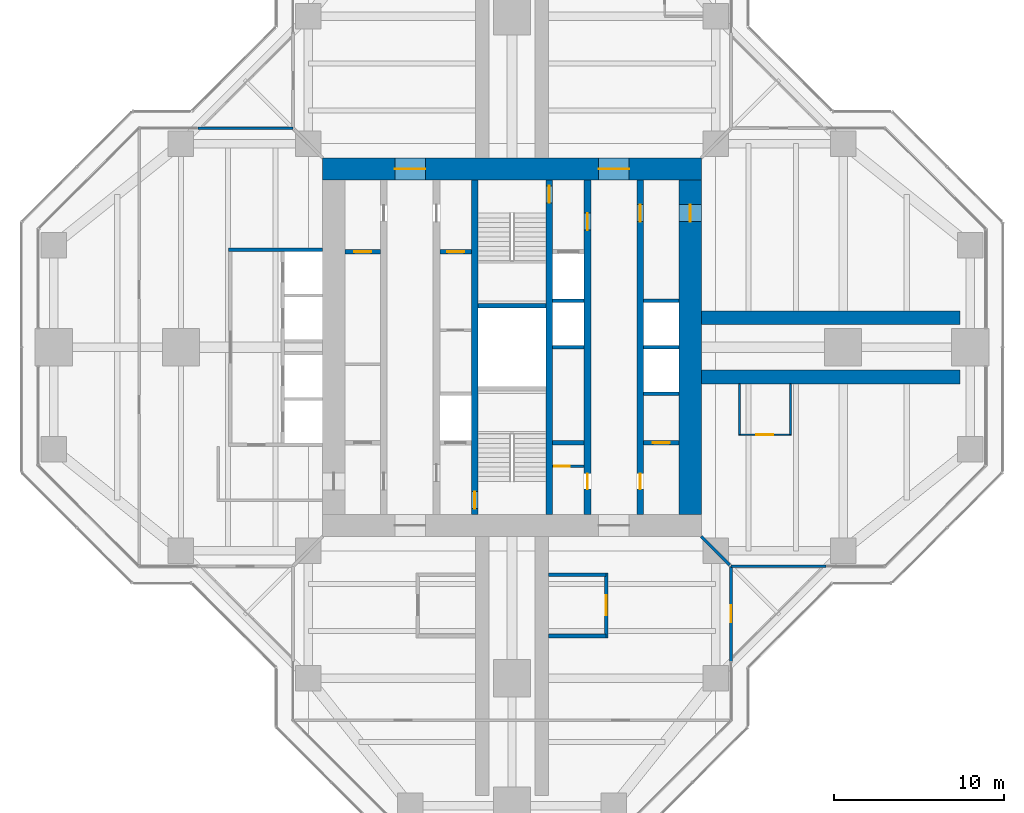
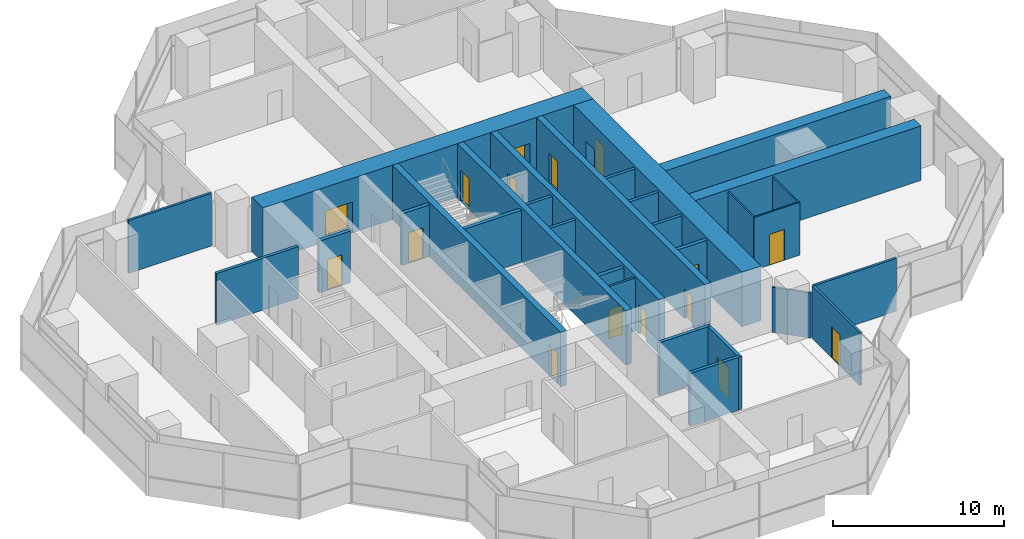
# One storey, part 14 of 17: 30 walls, 16 doors, 16 openings.
"""IFC4 building model written with IfcOpenShell, lengths in metres."""

from ifc_helpers import new_model, si_unit, direction, frame, frame_2d, origin, place, context, subcontext, project, spatial, rectangle, extrude, material, layer, layer_set, type_object, element, fill, save


model = new_model("IFC4")

# Units and contexts
model_context = context("Model", 3, precision=1e-05, world=origin(), true_north=direction((0.0, 1.0)))
body_context = subcontext(model_context, "Body", "Model", "MODEL_VIEW")
ifc_project = project(units=[si_unit("LENGTHUNIT", "METRE"), si_unit("AREAUNIT", "SQUARE_METRE"), si_unit("VOLUMEUNIT", "CUBIC_METRE"), si_unit("PLANEANGLEUNIT", "RADIAN"), si_unit("MASSUNIT", "GRAM", prefix="KILO")], contexts=[model_context])

# Site, building, storey
site_placement = place(None, origin())
site = spatial("IfcSite", under=ifc_project, at=site_placement, CompositionType="ELEMENT")
building_placement = place(site_placement, origin())
building = spatial("IfcBuilding", under=site, at=building_placement, Name="Mizan Broadcast Tower", CompositionType="ELEMENT")
storey_placement = place(building_placement, frame((0.0, 0.0, 220.5)))
storey = spatial("IfcBuildingStorey", under=building, at=storey_placement, Name="L51", CompositionType="ELEMENT", Elevation=220.5)

# Wall, openings, doors
ifc_material_1 = material(Name="Concrete C70/85", Category="concrete")
ifc_layer_1 = layer(ifc_material_1, 0.39990234375)
ifc_layer_set_1 = layer_set([ifc_layer_1], Name="Concrete C70/85")
wall_type_1 = type_object("IfcWallType", Name="CORE INTERNAL WALL 400", PredefinedType="SHEAR", material=ifc_layer_set_1)
wall_1_placement = place(storey_placement, frame((7.550048828125, 9.85009765625, 0.0), z_axis=(0.0, 0.0, 1.0), x_axis=(0.0, -1.0, 0.0)))
wall_1 = element("IfcWall", 1, at=wall_1_placement, inside=storey, type_object=wall_type_1, Name="Core wall CORE/XW1E", PredefinedType="SHEAR", context=body_context, shape_type="SweptSolid", body=[
    extrude(rectangle(XDim=19.7001953125, YDim=0.39990234375, at=frame_2d((9.85009765625, 0.0))), origin(), (0.0, 0.0, 1.0), 3.89990234375),
])
opening_1_placement = place(wall_1_placement, frame((1.449951171875, 0.0, 0.0)))
opening_1 = element("IfcOpeningElement", 2, at=opening_1_placement, cuts=wall_1, Name="Opening D10F", PredefinedType="OPENING", context=body_context, shape_type="SweptSolid", body=[
    extrude(rectangle(XDim=1.0, YDim=2.199951171875, at=frame_2d((0.5, 1.10009765625))), frame((0.0, 0.2099609375, 0.0), z_axis=(0.0, -1.0, 0.0), x_axis=(1.0, 0.0, 0.0)), (0.0, 0.0, 1.0), 0.419921875),
])
opening_2_placement = place(wall_1_placement, frame((17.300048828125, 0.0, 0.0)))
opening_2 = element("IfcOpeningElement", 3, at=opening_2_placement, cuts=wall_1, Name="Opening D09", PredefinedType="OPENING", context=body_context, shape_type="SweptSolid", body=[
    extrude(rectangle(XDim=0.89990234375, YDim=2.10009765625, at=frame_2d((0.449951171875, 1.050048828125))), frame((0.0, 0.2099609375, 0.0), z_axis=(0.0, -1.0, 0.0), x_axis=(1.0, 0.0, 0.0)), (0.0, 0.0, 1.0), 0.419921875),
])
ifc_material_2 = material(Name="Steel door leaf in steel frame", Category="steel")
door_type_1 = type_object("IfcDoorType", Name="FIRE DOOR 1000 FD90", OperationType="SINGLE_SWING_LEFT", PredefinedType="DOOR", material=ifc_material_2)
door_1_placement = place(opening_1_placement, origin())
door_1 = element("IfcDoor", 4, at=door_1_placement, inside=storey, type_object=door_type_1, Name="East core passage door", OperationType="SINGLE_SWING_LEFT", OverallHeight=2.199951171875, OverallWidth=1.0, PredefinedType="DOOR", context=body_context, shape_type="SweptSolid", body=[
    extrude(rectangle(XDim=1.0, YDim=2.199951171875, at=frame_2d((0.5, 1.10009765625))), frame((0.0, 0.02490234375, 0.0), z_axis=(0.0, -1.0, 0.0), x_axis=(1.0, 0.0, 0.0)), (0.0, 0.0, 1.0), 0.050048828125),
])
fill(opening_1, door_1)
ifc_material_3 = material(Name="Timber door leaf in aluminium frame", Category="wood")
door_type_2 = type_object("IfcDoorType", Name="TOILET DOOR 900", OperationType="SINGLE_SWING_LEFT", PredefinedType="DOOR", material=ifc_material_3)
door_2_placement = place(opening_2_placement, origin())
door_2 = element("IfcDoor", 5, at=door_2_placement, inside=storey, type_object=door_type_2, Name="Female WC door", OperationType="SINGLE_SWING_RIGHT", OverallHeight=2.10009765625, OverallWidth=0.89990234375, PredefinedType="DOOR", context=body_context, shape_type="SweptSolid", body=[
    extrude(rectangle(XDim=0.89990234375, YDim=2.10009765625, at=frame_2d((0.449951171875, 1.050048828125))), frame((0.0, 0.02490234375, 0.0), z_axis=(0.0, -1.0, 0.0), x_axis=(1.0, 0.0, 0.0)), (0.0, 0.0, 1.0), 0.050048828125),
])
fill(opening_2, door_2)

wall_2_placement = place(storey_placement, frame((4.449951171875, 9.85009765625, 0.0), z_axis=(0.0, 0.0, 1.0), x_axis=(0.0, -1.0, 0.0)))
wall_2 = element("IfcWall", 6, at=wall_2_placement, inside=storey, type_object=wall_type_1, Name="Core wall CORE/XWHE", PredefinedType="SHEAR", context=body_context, shape_type="SweptSolid", body=[
    extrude(rectangle(XDim=19.7001953125, YDim=0.39990234375, at=frame_2d((9.85009765625, 0.0))), origin(), (0.0, 0.0, 1.0), 3.89990234375),
])
opening_3_placement = place(wall_2_placement, frame((1.949951171875, 0.0, 0.0)))
opening_3 = element("IfcOpeningElement", 7, at=opening_3_placement, cuts=wall_2, Name="Opening D10F", PredefinedType="OPENING", context=body_context, shape_type="SweptSolid", body=[
    extrude(rectangle(XDim=1.0, YDim=2.199951171875, at=frame_2d((0.5, 1.10009765625))), frame((0.0, 0.2099609375, 0.0), z_axis=(0.0, -1.0, 0.0), x_axis=(1.0, 0.0, 0.0)), (0.0, 0.0, 1.0), 0.419921875),
])
opening_4_placement = place(wall_2_placement, frame((17.300048828125, 0.0, 0.0)))
opening_4 = element("IfcOpeningElement", 8, at=opening_4_placement, cuts=wall_2, Name="Opening D09", PredefinedType="OPENING", context=body_context, shape_type="SweptSolid", body=[
    extrude(rectangle(XDim=0.89990234375, YDim=2.10009765625, at=frame_2d((0.449951171875, 1.050048828125))), frame((0.0, 0.2099609375, 0.0), z_axis=(0.0, -1.0, 0.0), x_axis=(1.0, 0.0, 0.0)), (0.0, 0.0, 1.0), 0.419921875),
])
door_3_placement = place(opening_3_placement, origin())
door_3 = element("IfcDoor", 9, at=door_3_placement, inside=storey, type_object=door_type_1, Name="Firefighting lobby B door", OperationType="SINGLE_SWING_LEFT", OverallHeight=2.199951171875, OverallWidth=1.0, PredefinedType="DOOR", context=body_context, shape_type="SweptSolid", body=[
    extrude(rectangle(XDim=1.0, YDim=2.199951171875, at=frame_2d((0.5, 1.10009765625))), frame((0.0, 0.02490234375, 0.0), z_axis=(0.0, -1.0, 0.0), x_axis=(1.0, 0.0, 0.0)), (0.0, 0.0, 1.0), 0.050048828125),
])
fill(opening_3, door_3)
door_4_placement = place(opening_4_placement, origin())
door_4 = element("IfcDoor", 10, at=door_4_placement, inside=storey, type_object=door_type_2, Name="Cleaner's store door", OperationType="SINGLE_SWING_RIGHT", OverallHeight=2.10009765625, OverallWidth=0.89990234375, PredefinedType="DOOR", context=body_context, shape_type="SweptSolid", body=[
    extrude(rectangle(XDim=0.89990234375, YDim=2.10009765625, at=frame_2d((0.449951171875, 1.050048828125))), frame((0.0, 0.02490234375, 0.0), z_axis=(0.0, -1.0, 0.0), x_axis=(1.0, 0.0, 0.0)), (0.0, 0.0, 1.0), 0.050048828125),
])
fill(opening_4, door_4)

# Wall, opening, door
wall_3_placement = place(storey_placement, frame((-2.199951171875, -9.85009765625, 0.0), z_axis=(0.0, 0.0, 1.0), x_axis=(0.0, 1.0, 0.0)))
wall_3 = element("IfcWall", 11, at=wall_3_placement, inside=storey, type_object=wall_type_1, Name="Core wall CORE/XW2", PredefinedType="SHEAR", context=body_context, shape_type="SweptSolid", body=[
    extrude(rectangle(XDim=19.7001953125, YDim=0.39990234375, at=frame_2d((9.85009765625, 0.0))), origin(), (0.0, 0.0, 1.0), 3.89990234375),
])
opening_5_placement = place(wall_3_placement, frame((0.35009765625, 0.0, 0.0)))
opening_5 = element("IfcOpeningElement", 12, at=opening_5_placement, cuts=wall_3, Name="Opening D10S", PredefinedType="OPENING", context=body_context, shape_type="SweptSolid", body=[
    extrude(rectangle(XDim=1.0, YDim=2.199951171875, at=frame_2d((0.5, 1.10009765625))), frame((0.0, 0.2099609375, 0.0), z_axis=(0.0, -1.0, 0.0), x_axis=(1.0, 0.0, 0.0)), (0.0, 0.0, 1.0), 0.419921875),
])
ifc_material_4 = material(Name="Steel door leaf in steel frame", Category="steel")
door_type_3 = type_object("IfcDoorType", Name="STAIR DOOR 1000 FD90S", OperationType="SINGLE_SWING_RIGHT", PredefinedType="DOOR", material=ifc_material_4)
door_5_placement = place(opening_5_placement, origin())
door_5 = element("IfcDoor", 13, at=door_5_placement, inside=storey, type_object=door_type_3, Name="Stair A door", OperationType="SINGLE_SWING_RIGHT", OverallHeight=2.199951171875, OverallWidth=1.0, PredefinedType="DOOR", context=body_context, shape_type="SweptSolid", body=[
    extrude(rectangle(XDim=1.0, YDim=2.199951171875, at=frame_2d((0.5, 1.10009765625))), frame((0.0, 0.02490234375, 0.0), z_axis=(0.0, -1.0, 0.0), x_axis=(1.0, 0.0, 0.0)), (0.0, 0.0, 1.0), 0.050048828125),
])
fill(opening_5, door_5)

wall_4_placement = place(storey_placement, frame((2.199951171875, 9.85009765625, 0.0), z_axis=(0.0, 0.0, 1.0), x_axis=(0.0, -1.0, 0.0)))
wall_4 = element("IfcWall", 14, at=wall_4_placement, inside=storey, type_object=wall_type_1, Name="Core wall CORE/XW2E", PredefinedType="SHEAR", context=body_context, shape_type="SweptSolid", body=[
    extrude(rectangle(XDim=19.7001953125, YDim=0.39990234375, at=frame_2d((9.85009765625, 0.0))), origin(), (0.0, 0.0, 1.0), 3.89990234375),
])
opening_6_placement = place(wall_4_placement, frame((0.35009765625, 0.0, 0.0)))
opening_6 = element("IfcOpeningElement", 15, at=opening_6_placement, cuts=wall_4, Name="Opening D10S", PredefinedType="OPENING", context=body_context, shape_type="SweptSolid", body=[
    extrude(rectangle(XDim=1.0, YDim=2.199951171875, at=frame_2d((0.5, 1.10009765625))), frame((0.0, 0.2099609375, 0.0), z_axis=(0.0, -1.0, 0.0), x_axis=(1.0, 0.0, 0.0)), (0.0, 0.0, 1.0), 0.419921875),
])
door_6_placement = place(opening_6_placement, origin())
door_6 = element("IfcDoor", 16, at=door_6_placement, inside=storey, type_object=door_type_3, Name="Stair B door", OperationType="SINGLE_SWING_RIGHT", OverallHeight=2.199951171875, OverallWidth=1.0, PredefinedType="DOOR", context=body_context, shape_type="SweptSolid", body=[
    extrude(rectangle(XDim=1.0, YDim=2.199951171875, at=frame_2d((0.5, 1.10009765625))), frame((0.0, 0.02490234375, 0.0), z_axis=(0.0, -1.0, 0.0), x_axis=(1.0, 0.0, 0.0)), (0.0, 0.0, 1.0), 0.050048828125),
])
fill(opening_6, door_6)

ifc_material_5 = material(Name="Concrete blockwork", Category="masonry")
ifc_layer_2 = layer(ifc_material_5, 0.14990234375)
ifc_layer_set_2 = layer_set([ifc_layer_2], Name="Concrete blockwork")
wall_type_2 = type_object("IfcWallType", Name="CORE PARTITION 150", PredefinedType="SOLIDWALL", material=ifc_layer_set_2)
wall_5_placement = place(storey_placement, frame((2.39990234375, -7.0, 0.0), z_axis=(0.0, 0.0, 1.0), x_axis=(1.0, 0.0, 0.0)))
wall_5 = element("IfcWall", 17, at=wall_5_placement, inside=storey, type_object=wall_type_2, Name="Core partition CORE/XPC", PredefinedType="SOLIDWALL", context=body_context, shape_type="SweptSolid", body=[
    extrude(rectangle(XDim=1.85009765625, YDim=0.14990234375, at=frame_2d((0.925048828125, 0.0))), origin(), (0.0, 0.0, 1.0), 3.77001953125),
])
opening_7_placement = place(wall_5_placement, frame((0.10009765625, 0.0, 0.0)))
opening_7 = element("IfcOpeningElement", 18, at=opening_7_placement, cuts=wall_5, Name="Opening D09F", PredefinedType="OPENING", context=body_context, shape_type="SweptSolid", body=[
    extrude(rectangle(XDim=0.89990234375, YDim=2.10009765625, at=frame_2d((0.449951171875, 1.050048828125))), frame((0.0, 0.0849609375, 0.0), z_axis=(0.0, -1.0, 0.0), x_axis=(1.0, 0.0, 0.0)), (0.0, 0.0, 1.0), 0.169921875),
])
ifc_material_6 = material(Name="Steel door leaf in steel frame", Category="steel")
door_type_4 = type_object("IfcDoorType", Name="CORE ROOM DOOR 900 FD90", OperationType="SINGLE_SWING_LEFT", PredefinedType="DOOR", material=ifc_material_6)
door_7_placement = place(opening_7_placement, origin())
door_7 = element("IfcDoor", 19, at=door_7_placement, inside=storey, type_object=door_type_4, Name="Cleaning materials store door", OperationType="SINGLE_SWING_LEFT", OverallHeight=2.10009765625, OverallWidth=0.89990234375, PredefinedType="DOOR", context=body_context, shape_type="SweptSolid", body=[
    extrude(rectangle(XDim=0.89990234375, YDim=2.10009765625, at=frame_2d((0.449951171875, 1.050048828125))), frame((0.0, 0.02490234375, 0.0), z_axis=(0.0, -1.0, 0.0), x_axis=(1.0, 0.0, 0.0)), (0.0, 0.0, 1.0), 0.050048828125),
])
fill(opening_7, door_7)

# Wall, openings, doors
ifc_material_7 = material(Name="Concrete C70/85", Category="concrete")
ifc_layer_3 = layer(ifc_material_7, 1.300048828125)
ifc_layer_set_3 = layer_set([ifc_layer_3], Name="Concrete C70/85")
wall_type_3 = type_object("IfcWallType", Name="CORE WALL 1300", PredefinedType="SHEAR", material=ifc_layer_set_3)
wall_6_placement = place(storey_placement, frame((-11.14990234375, 10.5, 0.0), z_axis=(0.0, 0.0, 1.0), x_axis=(1.0, 0.0, 0.0)))
wall_6 = element("IfcWall", 20, at=wall_6_placement, inside=storey, type_object=wall_type_3, Name="Core wall N L51", PredefinedType="SHEAR", context=body_context, shape_type="SweptSolid", body=[
    extrude(rectangle(XDim=22.2998046875, YDim=1.300048828125, at=frame_2d((11.14990234375, 0.0))), origin(), (0.0, 0.0, 1.0), 3.89990234375),
])
opening_8_placement = place(wall_6_placement, frame((4.25, 0.0, 0.0)))
opening_8 = element("IfcOpeningElement", 21, at=opening_8_placement, cuts=wall_6, Name="Opening D18F", PredefinedType="OPENING", context=body_context, shape_type="SweptSolid", body=[
    extrude(rectangle(XDim=1.800048828125, YDim=2.199951171875, at=frame_2d((0.89990234375, 1.10009765625))), frame((0.0, 0.659912109375, 0.0), z_axis=(0.0, -1.0, 0.0), x_axis=(1.0, 0.0, 0.0)), (0.0, 0.0, 1.0), 1.320068359375),
])
opening_9_placement = place(wall_6_placement, frame((16.25, 0.0, 0.0)))
opening_9 = element("IfcOpeningElement", 22, at=opening_9_placement, cuts=wall_6, Name="Opening D18F", PredefinedType="OPENING", context=body_context, shape_type="SweptSolid", body=[
    extrude(rectangle(XDim=1.800048828125, YDim=2.199951171875, at=frame_2d((0.89990234375, 1.10009765625))), frame((0.0, 0.659912109375, 0.0), z_axis=(0.0, -1.0, 0.0), x_axis=(1.0, 0.0, 0.0)), (0.0, 0.0, 1.0), 1.320068359375),
])
ifc_material_8 = material(Name="Steel door leaf in steel frame", Category="steel")
door_type_5 = type_object("IfcDoorType", Name="LOBBY DOUBLE DOOR 1800 FD90", OperationType="DOUBLE_DOOR_DOUBLE_SWING", PredefinedType="DOOR", material=ifc_material_8)
door_8_placement = place(opening_8_placement, origin())
door_8 = element("IfcDoor", 23, at=door_8_placement, inside=storey, type_object=door_type_5, Name="West lift lobby north door", OperationType="DOUBLE_DOOR_DOUBLE_SWING", OverallHeight=2.199951171875, OverallWidth=1.800048828125, PredefinedType="DOOR", context=body_context, shape_type="SweptSolid", body=[
    extrude(rectangle(XDim=1.800048828125, YDim=2.199951171875, at=frame_2d((0.89990234375, 1.10009765625))), frame((0.0, 0.02490234375, 0.0), z_axis=(0.0, -1.0, 0.0), x_axis=(1.0, 0.0, 0.0)), (0.0, 0.0, 1.0), 0.050048828125),
])
fill(opening_8, door_8)
door_9_placement = place(opening_9_placement, origin())
door_9 = element("IfcDoor", 24, at=door_9_placement, inside=storey, type_object=door_type_5, Name="East lift lobby north door", OperationType="DOUBLE_DOOR_DOUBLE_SWING", OverallHeight=2.199951171875, OverallWidth=1.800048828125, PredefinedType="DOOR", context=body_context, shape_type="SweptSolid", body=[
    extrude(rectangle(XDim=1.800048828125, YDim=2.199951171875, at=frame_2d((0.89990234375, 1.10009765625))), frame((0.0, 0.02490234375, 0.0), z_axis=(0.0, -1.0, 0.0), x_axis=(1.0, 0.0, 0.0)), (0.0, 0.0, 1.0), 0.050048828125),
])
fill(opening_9, door_9)

# Wall, opening, door
wall_7_placement = place(storey_placement, frame((10.5, -9.85009765625, 0.0), z_axis=(0.0, 0.0, 1.0), x_axis=(0.0, 1.0, 0.0)))
wall_7 = element("IfcWall", 25, at=wall_7_placement, inside=storey, type_object=wall_type_3, Name="Core wall E L51", PredefinedType="SHEAR", context=body_context, shape_type="SweptSolid", body=[
    extrude(rectangle(XDim=19.7001953125, YDim=1.300048828125, at=frame_2d((9.85009765625, 0.0))), origin(), (0.0, 0.0, 1.0), 3.89990234375),
])
opening_10_placement = place(wall_7_placement, frame((17.25, 0.0, 0.0)))
opening_10 = element("IfcOpeningElement", 26, at=opening_10_placement, cuts=wall_7, Name="Opening D10F", PredefinedType="OPENING", context=body_context, shape_type="SweptSolid", body=[
    extrude(rectangle(XDim=1.0, YDim=2.199951171875, at=frame_2d((0.5, 1.10009765625))), frame((0.0, 0.659912109375, 0.0), z_axis=(0.0, -1.0, 0.0), x_axis=(1.0, 0.0, 0.0)), (0.0, 0.0, 1.0), 1.320068359375),
])
door_10_placement = place(opening_10_placement, origin())
door_10 = element("IfcDoor", 27, at=door_10_placement, inside=storey, type_object=door_type_1, Name="East core passage arm door", OperationType="SINGLE_SWING_RIGHT", OverallHeight=2.199951171875, OverallWidth=1.0, PredefinedType="DOOR", context=body_context, shape_type="SweptSolid", body=[
    extrude(rectangle(XDim=1.0, YDim=2.199951171875, at=frame_2d((0.5, 1.10009765625))), frame((0.0, 0.02490234375, 0.0), z_axis=(0.0, -1.0, 0.0), x_axis=(1.0, 0.0, 0.0)), (0.0, 0.0, 1.0), 0.050048828125),
])
fill(opening_10, door_10)

# Walls
ifc_material_9 = material(Name="Aluminium framed glazed screen", Category="aluminium")
ifc_layer_4 = layer(ifc_material_9, 0.159912109375)
ifc_layer_set_4 = layer_set([ifc_layer_4], Name="Aluminium framed glazed screen")
wall_type_4 = type_object("IfcWallType", Name="GLAZED SCREEN WALL 160", PredefinedType="SOLIDWALL", material=ifc_layer_set_4)
for number, where, z_axis, x_axis, name in (
    (28, (12.89990234375, -12.89990234375, 0.0), (0.0, 0.0, 1.0), (1.0, 0.0, 0.0), "Winter garden screen L51 E"),
    (29, (-12.89990234375, 12.89990234375, 0.0), (0.0, 0.0, 1.0), (-1.0, 0.0, 0.0), "Winter garden screen L51 W"),
):
    element("IfcWall", number, at=place(storey_placement, frame(where, z_axis=z_axis, x_axis=x_axis)), inside=storey, type_object=wall_type_4, Name=name, PredefinedType="SOLIDWALL", context=body_context, shape_type="SweptSolid", body=[
        extrude(rectangle(XDim=5.60009765625, YDim=0.159912109375, at=frame_2d((2.800048828125, 0.0))), origin(), (0.0, 0.0, 1.0), 3.77001953125),
    ])

# Wall, opening, door
wall_8_placement = place(storey_placement, frame((12.89990234375, -18.5, 0.0), z_axis=(0.0, 0.0, 1.0), x_axis=(0.0, 1.0, 0.0)))
wall_8 = element("IfcWall", 30, at=wall_8_placement, inside=storey, type_object=wall_type_4, Name="Winter garden screen L51 S", PredefinedType="SOLIDWALL", context=body_context, shape_type="SweptSolid", body=[
    extrude(rectangle(XDim=5.60009765625, YDim=0.159912109375, at=frame_2d((2.800048828125, 0.0))), origin(), (0.0, 0.0, 1.0), 3.77001953125),
])
opening_11_placement = place(wall_8_placement, frame((2.300048828125, 0.0, 0.0)))
opening_11 = element("IfcOpeningElement", 31, at=opening_11_placement, cuts=wall_8, Name="Opening WGD", PredefinedType="OPENING", context=body_context, shape_type="SweptSolid", body=[
    extrude(rectangle(XDim=1.0, YDim=2.199951171875, at=frame_2d((0.5, 1.10009765625))), frame((0.0, 0.08984375, 0.0), z_axis=(0.0, -1.0, 0.0), x_axis=(1.0, 0.0, 0.0)), (0.0, 0.0, 1.0), 0.179931640625),
])
ifc_material_10 = material(Name="Aluminium framed glazed door", Category="aluminium")
door_type_6 = type_object("IfcDoorType", Name="WINTER GARDEN DOOR 1000 GLAZED", OperationType="SINGLE_SWING_LEFT", PredefinedType="DOOR", material=ifc_material_10)
door_11_placement = place(opening_11_placement, origin())
door_11 = element("IfcDoor", 32, at=door_11_placement, inside=storey, type_object=door_type_6, Name="Winter garden door L51 S", OperationType="SINGLE_SWING_RIGHT", OverallHeight=2.199951171875, OverallWidth=1.0, PredefinedType="DOOR", context=body_context, shape_type="SweptSolid", body=[
    extrude(rectangle(XDim=1.0, YDim=2.199951171875, at=frame_2d((0.5, 1.10009765625))), frame((0.0, 0.02490234375, 0.0), z_axis=(0.0, -1.0, 0.0), x_axis=(1.0, 0.0, 0.0)), (0.0, 0.0, 1.0), 0.050048828125),
])
fill(opening_11, door_11)

# Walls
ifc_material_11 = material(Name="Concrete blockwork", Category="masonry")
ifc_layer_5 = layer(ifc_material_11, 0.199951171875)
ifc_layer_set_5 = layer_set([ifc_layer_5], Name="Concrete blockwork")
wall_type_5 = type_object("IfcWallType", Name="LIFT SHAFT WALL 200", PredefinedType="SOLIDWALL", material=ifc_layer_set_5)
wall_9_placement = place(storey_placement, frame((7.75, -2.75, 0.0), z_axis=(0.0, 0.0, 1.0), x_axis=(1.0, 0.0, 0.0)))
element("IfcWall", 33, at=wall_9_placement, inside=storey, type_object=wall_type_5, Name="Lift shaft wall CORE/SE1-1", PredefinedType="SOLIDWALL", context=body_context, shape_type="SweptSolid", body=[
    extrude(rectangle(XDim=2.10009765625, YDim=0.199951171875, at=frame_2d((1.050048828125, 0.0))), origin(), (0.0, 0.0, 1.0), 3.699951171875),
])
wall_10_placement = place(storey_placement, frame((2.39990234375, 0.0, 0.0), z_axis=(0.0, 0.0, 1.0), x_axis=(1.0, 0.0, 0.0)))
element("IfcWall", 34, at=wall_10_placement, inside=storey, type_object=wall_type_5, Name="Lift shaft wall CORE/SE2-2", PredefinedType="SOLIDWALL", context=body_context, shape_type="SweptSolid", body=[
    extrude(rectangle(XDim=1.85009765625, YDim=0.199951171875, at=frame_2d((0.925048828125, 0.0))), origin(), (0.0, 0.0, 1.0), 3.699951171875),
])
wall_11_placement = place(storey_placement, frame((7.75, 0.0, 0.0), z_axis=(0.0, 0.0, 1.0), x_axis=(1.0, 0.0, 0.0)))
element("IfcWall", 35, at=wall_11_placement, inside=storey, type_object=wall_type_5, Name="Lift shaft wall CORE/SE1-2", PredefinedType="SOLIDWALL", context=body_context, shape_type="SweptSolid", body=[
    extrude(rectangle(XDim=2.10009765625, YDim=0.199951171875, at=frame_2d((1.050048828125, 0.0))), origin(), (0.0, 0.0, 1.0), 3.699951171875),
])
wall_12_placement = place(storey_placement, frame((2.39990234375, 2.75, 0.0), z_axis=(0.0, 0.0, 1.0), x_axis=(1.0, 0.0, 0.0)))
element("IfcWall", 36, at=wall_12_placement, inside=storey, type_object=wall_type_5, Name="Lift shaft wall CORE/SE2-3", PredefinedType="SOLIDWALL", context=body_context, shape_type="SweptSolid", body=[
    extrude(rectangle(XDim=1.85009765625, YDim=0.199951171875, at=frame_2d((0.925048828125, 0.0))), origin(), (0.0, 0.0, 1.0), 3.699951171875),
])
wall_13_placement = place(storey_placement, frame((7.75, 2.75, 0.0), z_axis=(0.0, 0.0, 1.0), x_axis=(1.0, 0.0, 0.0)))
element("IfcWall", 37, at=wall_13_placement, inside=storey, type_object=wall_type_5, Name="Lift shaft wall CORE/SE1-3", PredefinedType="SOLIDWALL", context=body_context, shape_type="SweptSolid", body=[
    extrude(rectangle(XDim=2.10009765625, YDim=0.199951171875, at=frame_2d((1.050048828125, 0.0))), origin(), (0.0, 0.0, 1.0), 3.699951171875),
])
wall_14_placement = place(storey_placement, frame((-11.14990234375, 5.75, 0.0), z_axis=(0.0, 0.0, 1.0), x_axis=(-1.0, 0.0, 0.0)))
element("IfcWall", 38, at=wall_14_placement, inside=storey, type_object=wall_type_5, Name="Lift shaft wall LC/S1", PredefinedType="SOLIDWALL", context=body_context, shape_type="SweptSolid", body=[
    extrude(rectangle(XDim=5.550048828125, YDim=0.199951171875, at=frame_2d((2.77490234375, 0.0))), origin(), (0.0, 0.0, 1.0), 3.699951171875),
])

# Wall, opening, door
ifc_material_12 = material(Name="Concrete blockwork", Category="masonry")
ifc_layer_6 = layer(ifc_material_12, 0.25)
ifc_layer_set_6 = layer_set([ifc_layer_6], Name="Concrete blockwork")
wall_type_6 = type_object("IfcWallType", Name="LOBBY ENCLOSURE WALL 250", PredefinedType="SOLIDWALL", material=ifc_layer_set_6)
wall_15_placement = place(storey_placement, frame((-9.85009765625, 5.625, 0.0), z_axis=(0.0, 0.0, 1.0), x_axis=(1.0, 0.0, 0.0)))
wall_15 = element("IfcWall", 39, at=wall_15_placement, inside=storey, type_object=wall_type_6, Name="Lobby enclosure wall CORE/BW1N", PredefinedType="SOLIDWALL", context=body_context, shape_type="SweptSolid", body=[
    extrude(rectangle(XDim=2.10009765625, YDim=0.25, at=frame_2d((1.050048828125, 0.0))), origin(), (0.0, 0.0, 1.0), 3.699951171875),
])
opening_12_placement = place(wall_15_placement, frame((0.550048828125, 0.0, 0.0)))
opening_12 = element("IfcOpeningElement", 40, at=opening_12_placement, cuts=wall_15, Name="Opening D10F", PredefinedType="OPENING", context=body_context, shape_type="SweptSolid", body=[
    extrude(rectangle(XDim=1.0, YDim=2.199951171875, at=frame_2d((0.5, 1.10009765625))), frame((0.0, 0.135009765625, 0.0), z_axis=(0.0, -1.0, 0.0), x_axis=(1.0, 0.0, 0.0)), (0.0, 0.0, 1.0), 0.27001953125),
])
door_12_placement = place(opening_12_placement, origin())
door_12 = element("IfcDoor", 41, at=door_12_placement, inside=storey, type_object=door_type_1, Name="Staff changing room door", OperationType="SINGLE_SWING_RIGHT", OverallHeight=2.199951171875, OverallWidth=1.0, PredefinedType="DOOR", context=body_context, shape_type="SweptSolid", body=[
    extrude(rectangle(XDim=1.0, YDim=2.199951171875, at=frame_2d((0.5, 1.10009765625))), frame((0.0, 0.02490234375, 0.0), z_axis=(0.0, -1.0, 0.0), x_axis=(1.0, 0.0, 0.0)), (0.0, 0.0, 1.0), 0.050048828125),
])
fill(opening_12, door_12)

wall_16_placement = place(storey_placement, frame((-4.25, 5.625, 0.0), z_axis=(0.0, 0.0, 1.0), x_axis=(1.0, 0.0, 0.0)))
wall_16 = element("IfcWall", 42, at=wall_16_placement, inside=storey, type_object=wall_type_6, Name="Lobby enclosure wall CORE/BW2N", PredefinedType="SOLIDWALL", context=body_context, shape_type="SweptSolid", body=[
    extrude(rectangle(XDim=1.85009765625, YDim=0.25, at=frame_2d((0.925048828125, 0.0))), origin(), (0.0, 0.0, 1.0), 3.699951171875),
])
opening_13_placement = place(wall_16_placement, frame((0.425048828125, 0.0, 0.0)))
opening_13 = element("IfcOpeningElement", 43, at=opening_13_placement, cuts=wall_16, Name="Opening D10F", PredefinedType="OPENING", context=body_context, shape_type="SweptSolid", body=[
    extrude(rectangle(XDim=1.0, YDim=2.199951171875, at=frame_2d((0.5, 1.10009765625))), frame((0.0, 0.135009765625, 0.0), z_axis=(0.0, -1.0, 0.0), x_axis=(1.0, 0.0, 0.0)), (0.0, 0.0, 1.0), 0.27001953125),
])
door_13_placement = place(opening_13_placement, origin())
door_13 = element("IfcDoor", 44, at=door_13_placement, inside=storey, type_object=door_type_1, Name="Baby change room door", OperationType="SINGLE_SWING_RIGHT", OverallHeight=2.199951171875, OverallWidth=1.0, PredefinedType="DOOR", context=body_context, shape_type="SweptSolid", body=[
    extrude(rectangle(XDim=1.0, YDim=2.199951171875, at=frame_2d((0.5, 1.10009765625))), frame((0.0, 0.02490234375, 0.0), z_axis=(0.0, -1.0, 0.0), x_axis=(1.0, 0.0, 0.0)), (0.0, 0.0, 1.0), 0.050048828125),
])
fill(opening_13, door_13)

# Wall
wall_17_placement = place(storey_placement, frame((2.39990234375, -5.625, 0.0), z_axis=(0.0, 0.0, 1.0), x_axis=(1.0, 0.0, 0.0)))
element("IfcWall", 45, at=wall_17_placement, inside=storey, type_object=wall_type_6, Name="Lobby enclosure wall CORE/BE2S", PredefinedType="SOLIDWALL", context=body_context, shape_type="SweptSolid", body=[
    extrude(rectangle(XDim=1.85009765625, YDim=0.25, at=frame_2d((0.925048828125, 0.0))), origin(), (0.0, 0.0, 1.0), 3.699951171875),
])

# Wall, opening, door
wall_18_placement = place(storey_placement, frame((7.75, -5.625, 0.0), z_axis=(0.0, 0.0, 1.0), x_axis=(1.0, 0.0, 0.0)))
wall_18 = element("IfcWall", 46, at=wall_18_placement, inside=storey, type_object=wall_type_6, Name="Lobby enclosure wall CORE/BE1S", PredefinedType="SOLIDWALL", context=body_context, shape_type="SweptSolid", body=[
    extrude(rectangle(XDim=2.10009765625, YDim=0.25, at=frame_2d((1.050048828125, 0.0))), origin(), (0.0, 0.0, 1.0), 3.699951171875),
])
opening_14_placement = place(wall_18_placement, frame((0.550048828125, 0.0, 0.0)))
opening_14 = element("IfcOpeningElement", 47, at=opening_14_placement, cuts=wall_18, Name="Opening D10F", PredefinedType="OPENING", context=body_context, shape_type="SweptSolid", body=[
    extrude(rectangle(XDim=1.0, YDim=2.199951171875, at=frame_2d((0.5, 1.10009765625))), frame((0.0, 0.135009765625, 0.0), z_axis=(0.0, -1.0, 0.0), x_axis=(1.0, 0.0, 0.0)), (0.0, 0.0, 1.0), 0.27001953125),
])
door_14_placement = place(opening_14_placement, origin())
door_14 = element("IfcDoor", 48, at=door_14_placement, inside=storey, type_object=door_type_1, Name="Staff changing room door", OperationType="SINGLE_SWING_LEFT", OverallHeight=2.199951171875, OverallWidth=1.0, PredefinedType="DOOR", context=body_context, shape_type="SweptSolid", body=[
    extrude(rectangle(XDim=1.0, YDim=2.199951171875, at=frame_2d((0.5, 1.10009765625))), frame((0.0, 0.02490234375, 0.0), z_axis=(0.0, -1.0, 0.0), x_axis=(1.0, 0.0, 0.0)), (0.0, 0.0, 1.0), 0.050048828125),
])
fill(opening_14, door_14)

# Walls
wall_19_placement = place(storey_placement, frame((-2.0, 2.449951171875, 0.0), z_axis=(0.0, 0.0, 1.0), x_axis=(1.0, 0.0, 0.0)))
element("IfcWall", 49, at=wall_19_placement, inside=storey, type_object=wall_type_6, Name="Lobby enclosure wall CORE/STB", PredefinedType="SOLIDWALL", context=body_context, shape_type="SweptSolid", body=[
    extrude(rectangle(XDim=4.0, YDim=0.25, at=frame_2d((2.0, 0.0))), origin(), (0.0, 0.0, 1.0), 3.699951171875),
])
ifc_material_13 = material(Name="Gypsum board on steel studs", Category="steel")
ifc_layer_7 = layer(ifc_material_13, 0.14990234375)
ifc_layer_set_7 = layer_set([ifc_layer_7], Name="Gypsum board on steel studs")
wall_type_7 = type_object("IfcWallType", Name="PARTITION 150", PredefinedType="PARTITIONING", material=ifc_layer_set_7)
wall_20_placement = place(storey_placement, frame((11.14990234375, -11.14990234375, 0.0), z_axis=(0.0, 0.0, 1.0), x_axis=(0.707106781187, -0.707106781187, 0.0)))
element("IfcWall", 50, at=wall_20_placement, inside=storey, type_object=wall_type_7, Name="Partition PT/DGES", PredefinedType="PARTITIONING", context=body_context, shape_type="SweptSolid", body=[
    extrude(rectangle(XDim=2.362060546875, YDim=0.14990234375, at=frame_2d((1.18115234375, 0.0))), origin(), (0.0, 0.0, 1.0), 3.219970703125),
])
ifc_material_14 = material(Name="Twin steel stud acoustic partition, four layers of gypsum board", Category="steel")
ifc_layer_8 = layer(ifc_material_14, 0.22509765625)
ifc_layer_set_8 = layer_set([ifc_layer_8], Name="Twin steel stud acoustic partition, four layers of gypsum board")
wall_type_8 = type_object("IfcWallType", Name="PARTITION ACOUSTIC 225", PredefinedType="PARTITIONING", material=ifc_layer_set_8)
for number, where, z_axis, x_axis, name in (
    (51, (2.14990234375, -13.39990234375, 0.0), (0.0, 0.0, 1.0), (1.0, 0.0, 0.0), "Acoustic partition PT/SKP0a"),
    (52, (2.14990234375, -17.0, 0.0), (0.0, 0.0, 1.0), (1.0, 0.0, 0.0), "Acoustic partition PT/SKP0b"),
):
    element("IfcWall", number, at=place(storey_placement, frame(where, z_axis=z_axis, x_axis=x_axis)), inside=storey, type_object=wall_type_8, Name=name, PredefinedType="PARTITIONING", context=body_context, shape_type="SweptSolid", body=[
        extrude(rectangle(XDim=3.400146484375, YDim=0.22509765625, at=frame_2d((1.7001953125, 0.0))), origin(), (0.0, 0.0, 1.0), 3.77001953125),
    ])

# Wall, opening, door
wall_21_placement = place(storey_placement, frame((5.550048828125, -13.28759765625, 0.0), z_axis=(0.0, 0.0, 1.0), x_axis=(0.0, -1.0, 0.0)))
wall_21 = element("IfcWall", 53, at=wall_21_placement, inside=storey, type_object=wall_type_8, Name="Acoustic partition PT/SKP0f", PredefinedType="PARTITIONING", context=body_context, shape_type="SweptSolid", body=[
    extrude(rectangle(XDim=3.824951171875, YDim=0.22509765625, at=frame_2d((1.91259765625, 0.0))), origin(), (0.0, 0.0, 1.0), 3.77001953125),
])
opening_15_placement = place(wall_21_placement, frame((1.3125, 0.0, 0.0)))
opening_15 = element("IfcOpeningElement", 54, at=opening_15_placement, cuts=wall_21, Name="Opening D12A", PredefinedType="OPENING", context=body_context, shape_type="SweptSolid", body=[
    extrude(rectangle(XDim=1.199951171875, YDim=2.199951171875, at=frame_2d((0.60009765625, 1.10009765625))), frame((0.0, 0.12255859375, 0.0), z_axis=(0.0, -1.0, 0.0), x_axis=(1.0, 0.0, 0.0)), (0.0, 0.0, 1.0), 0.2451171875),
])
ifc_material_15 = material(Name="Timber door leaf in aluminium frame", Category="wood")
door_type_7 = type_object("IfcDoorType", Name="ACOUSTIC DOOR 1200", OperationType="SINGLE_SWING_LEFT", PredefinedType="DOOR", material=ifc_material_15)
door_15_placement = place(opening_15_placement, origin())
door_15 = element("IfcDoor", 55, at=door_15_placement, inside=storey, type_object=door_type_7, Name="Edit suite door", OperationType="SINGLE_SWING_LEFT", OverallHeight=2.199951171875, OverallWidth=1.199951171875, PredefinedType="DOOR", context=body_context, shape_type="SweptSolid", body=[
    extrude(rectangle(XDim=1.199951171875, YDim=2.199951171875, at=frame_2d((0.60009765625, 1.10009765625))), frame((0.0, 0.02490234375, 0.0), z_axis=(0.0, -1.0, 0.0), x_axis=(1.0, 0.0, 0.0)), (0.0, 0.0, 1.0), 0.050048828125),
])
fill(opening_15, door_15)

# Walls
ifc_material_16 = material(Name="Glazed aluminium partition on aluminium track", Category="aluminium")
ifc_layer_9 = layer(ifc_material_16, 0.10009765625)
ifc_layer_set_9 = layer_set([ifc_layer_9], Name="Glazed aluminium partition on aluminium track")
wall_type_9 = type_object("IfcWallType", Name="PARTITION GLAZED OFFICE FRONT 100", PredefinedType="PARTITIONING", material=ifc_layer_set_9)
for number, where, z_axis, x_axis, name in (
    (56, (13.39990234375, -2.14990234375, 0.0), (0.0, 0.0, 1.0), (0.0, -1.0, 0.0), "Glazed office front PT/EKN0a"),
    (57, (16.39990234375, -2.14990234375, 0.0), (0.0, 0.0, 1.0), (0.0, -1.0, 0.0), "Glazed office front PT/EKN0b"),
):
    element("IfcWall", number, at=place(storey_placement, frame(where, z_axis=z_axis, x_axis=x_axis)), inside=storey, type_object=wall_type_9, Name=name, PredefinedType="PARTITIONING", context=body_context, shape_type="SweptSolid", body=[
        extrude(rectangle(XDim=3.0, YDim=0.10009765625, at=frame_2d((1.5, 0.0))), origin(), (0.0, 0.0, 1.0), 3.77001953125),
    ])

# Wall, opening, door
wall_22_placement = place(storey_placement, frame((13.35009765625, -5.14990234375, 0.0), z_axis=(0.0, 0.0, 1.0), x_axis=(1.0, 0.0, 0.0)))
wall_22 = element("IfcWall", 58, at=wall_22_placement, inside=storey, type_object=wall_type_9, Name="Glazed office front PT/EKN0f", PredefinedType="PARTITIONING", context=body_context, shape_type="SweptSolid", body=[
    extrude(rectangle(XDim=3.099853515625, YDim=0.10009765625, at=frame_2d((1.5498046875, 0.0))), origin(), (0.0, 0.0, 1.0), 3.77001953125),
])
opening_16_placement = place(wall_22_placement, frame((1.050048828125, 0.0, 0.0)))
opening_16 = element("IfcOpeningElement", 59, at=opening_16_placement, cuts=wall_22, Name="Opening D10O", PredefinedType="OPENING", context=body_context, shape_type="SweptSolid", body=[
    extrude(rectangle(XDim=1.0, YDim=2.199951171875, at=frame_2d((0.5, 1.10009765625))), frame((0.0, 0.06005859375, 0.0), z_axis=(0.0, -1.0, 0.0), x_axis=(1.0, 0.0, 0.0)), (0.0, 0.0, 1.0), 0.1201171875),
])
ifc_material_17 = material(Name="Timber door leaf in aluminium frame", Category="wood")
door_type_8 = type_object("IfcDoorType", Name="OFFICE DOOR 1000 GLAZED", OperationType="SINGLE_SWING_LEFT", PredefinedType="DOOR", material=ifc_material_17)
door_16_placement = place(opening_16_placement, origin())
door_16 = element("IfcDoor", 60, at=door_16_placement, inside=storey, type_object=door_type_8, Name="Pantry door", OperationType="SINGLE_SWING_LEFT", OverallHeight=2.199951171875, OverallWidth=1.0, PredefinedType="DOOR", context=body_context, shape_type="SweptSolid", body=[
    extrude(rectangle(XDim=1.0, YDim=2.199951171875, at=frame_2d((0.5, 1.10009765625))), frame((0.0, 0.02490234375, 0.0), z_axis=(0.0, -1.0, 0.0), x_axis=(1.0, 0.0, 0.0)), (0.0, 0.0, 1.0), 0.050048828125),
])
fill(opening_16, door_16)

# Walls
ifc_material_18 = material(Name="Concrete C70/85", Category="concrete")
ifc_layer_10 = layer(ifc_material_18, 0.800048828125)
ifc_layer_set_10 = layer_set([ifc_layer_10], Name="Concrete C70/85")
wall_type_10 = type_object("IfcWallType", Name="SPINE WALL 800", PredefinedType="SHEAR", material=ifc_layer_set_10)
for number, where, z_axis, x_axis, name in (
    (61, (11.14990234375, -1.75, 0.0), (0.0, 0.0, 1.0), (1.0, 0.0, 0.0), "Spine wall ER L51"),
    (62, (11.14990234375, 1.75, 0.0), (0.0, 0.0, 1.0), (1.0, 0.0, 0.0), "Spine wall EL L51"),
):
    element("IfcWall", number, at=place(storey_placement, frame(where, z_axis=z_axis, x_axis=x_axis)), inside=storey, type_object=wall_type_10, Name=name, PredefinedType="SHEAR", context=body_context, shape_type="SweptSolid", body=[
        extrude(rectangle(XDim=15.25, YDim=0.800048828125, at=frame_2d((7.625, 0.0))), origin(), (0.0, 0.0, 1.0), 3.89990234375),
    ])

save(model, "model.ifc")
